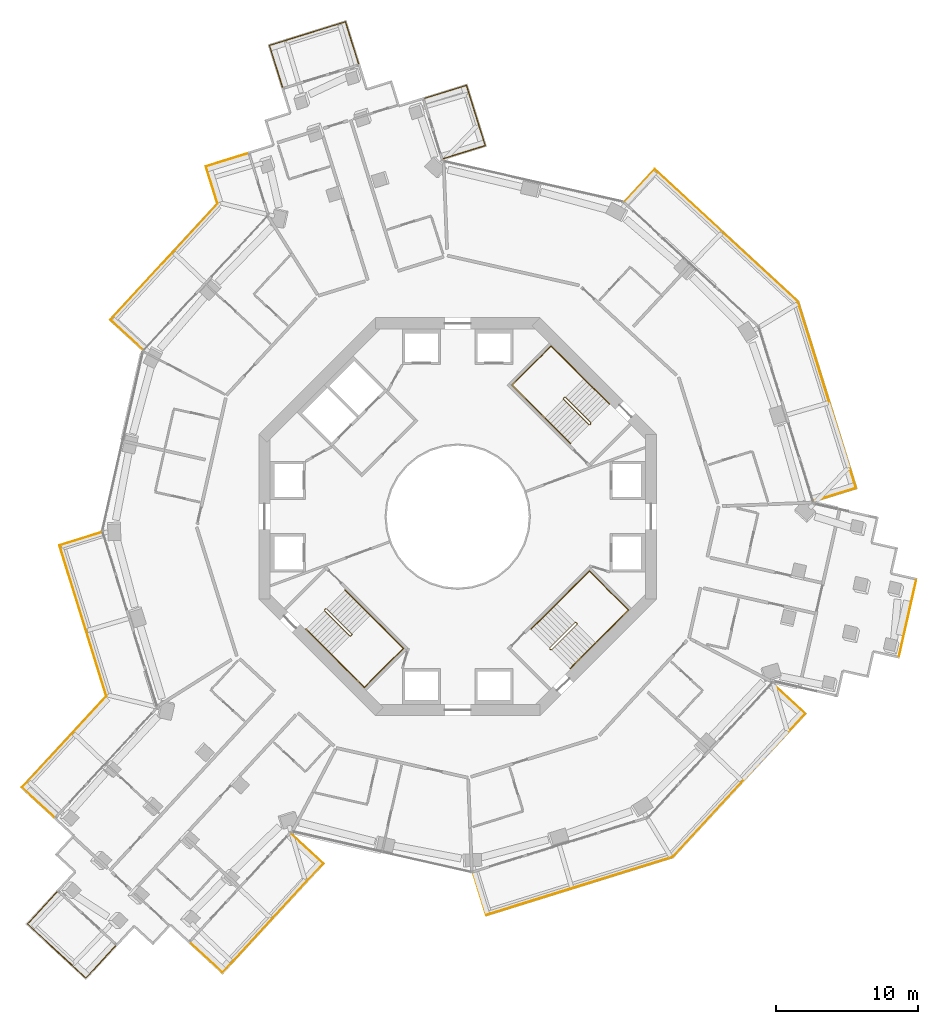
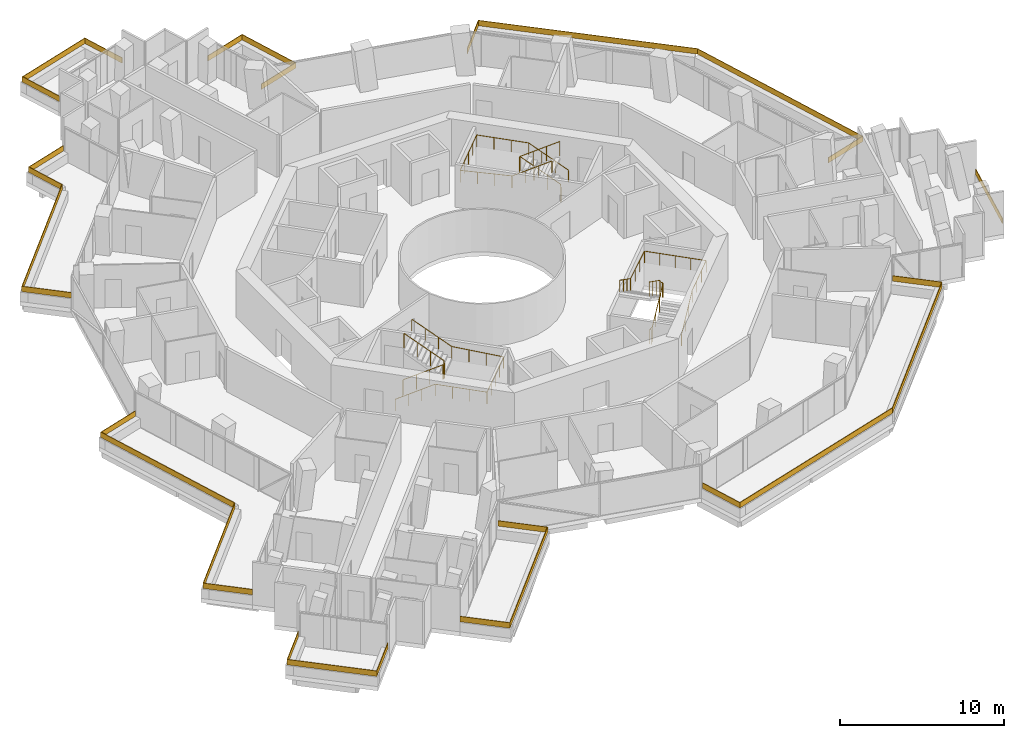
# One storey, part 25 of 25: 15 railings.
"""IFC4 building model written with IfcOpenShell, lengths in metres."""

from ifc_helpers import new_model, si_unit, direction, frame, origin, origin_2d, place, context, subcontext, project, spatial, polyline, rectangle, circle, outline, extrude, material, layer, layer_set, type_object, element, save


model = new_model("IFC4")

# Units and contexts
model_context = context("Model", 3, precision=1e-05, world=origin(), true_north=direction((0.0, 1.0)))
body_context = subcontext(model_context, "Body", "Model", "MODEL_VIEW")
ifc_project = project(units=[si_unit("LENGTHUNIT", "METRE"), si_unit("AREAUNIT", "SQUARE_METRE"), si_unit("VOLUMEUNIT", "CUBIC_METRE"), si_unit("PLANEANGLEUNIT", "RADIAN"), si_unit("MASSUNIT", "GRAM", prefix="KILO")], contexts=[model_context])

# Site, building, storey
site_placement = place(None, origin())
site = spatial("IfcSite", under=ifc_project, at=site_placement, CompositionType="ELEMENT")
building_placement = place(site_placement, origin())
building = spatial("IfcBuilding", under=site, at=building_placement, Name="Verdalira Terraces Hotel", CompositionType="ELEMENT")
storey_placement = place(building_placement, frame((0.0, 0.0, 103.5)))
storey = spatial("IfcBuildingStorey", under=building, at=storey_placement, Name="L24", CompositionType="ELEMENT", Elevation=103.5)

# Railings
ifc_material_1 = material(Name="Laminated glass", Category="glass")
ifc_layer = layer(ifc_material_1, 0.0400390625)
ifc_layer_set = layer_set([ifc_layer], Name="Balcony glass guard 400")
railing_type_1 = type_object("IfcRailingType", Name="Balcony glass guard 400", PredefinedType="GUARDRAIL", material=ifc_layer_set)
railing_1_placement = place(storey_placement, frame((0.0, 0.0, 0.699951)))
element("IfcRailing", 1, at=railing_1_placement, inside=storey, type_object=railing_type_1, Name="Balcony glass guard", PredefinedType="GUARDRAIL", context=body_context, shape_type="SweptSolid", body=[
    extrude(outline(polyline([(-7.914307, 34.799805), (-13.223145, 33.148193), (-12.308594, 30.208252), (-12.346924, 30.196289), (-13.273438, 33.174561), (-7.887939, 34.849854), (-6.961426, 31.871826), (-6.999512, 31.859863), (-7.914307, 34.799805)])), origin(), (0.0, 0.0, 1.0), 0.400146),
])
railing_2_placement = place(storey_placement, frame((0.0, 0.0, 0.699951)))
element("IfcRailing", 2, at=railing_2_placement, inside=storey, type_object=railing_type_1, Name="Balcony glass guard", PredefinedType="GUARDRAIL", context=body_context, shape_type="SweptSolid", body=[
    extrude(outline(polyline([(-17.696533, 24.635254), (-16.881592, 22.015625), (-24.413086, 13.859619), (-22.151123, 11.770752), (-22.178223, 11.741211), (-24.469727, 13.857178), (-16.926514, 22.025879), (-17.746582, 24.661621), (-14.768311, 25.588135), (-14.756348, 25.550049), (-17.696533, 24.635254)])), origin(), (0.0, 0.0, 1.0), 0.400146),
])
railing_3_placement = place(storey_placement, frame((0.0, 0.0, 0.699951)))
element("IfcRailing", 3, at=railing_3_placement, inside=storey, type_object=railing_type_1, Name="Balcony glass guard", PredefinedType="GUARDRAIL", context=body_context, shape_type="SweptSolid", body=[
    extrude(outline(polyline([(-27.999512, -2.028564), (-24.701904, -12.62915), (-30.633545, -19.052979), (-28.371338, -21.141602), (-28.398682, -21.171143), (-30.689941, -19.055176), (-24.746826, -12.619141), (-28.049561, -2.002197), (-25.071289, -1.075684), (-25.05957, -1.114014), (-27.999512, -2.028564)])), origin(), (0.0, 0.0, 1.0), 0.400146),
])
railing_4_placement = place(storey_placement, frame((0.0, 0.0, 0.699951)))
element("IfcRailing", 4, at=railing_4_placement, inside=storey, type_object=railing_type_1, Name="Balcony glass guard", PredefinedType="GUARDRAIL", context=body_context, shape_type="SweptSolid", body=[
    extrude(outline(polyline([(-30.250977, -28.661865), (-26.16626, -32.433838), (-24.077393, -30.171875), (-24.047852, -30.198975), (-26.163818, -32.490479), (-30.307373, -28.664062), (-28.191406, -26.372803), (-28.162109, -26.399902), (-30.250977, -28.661865)])), origin(), (0.0, 0.0, 1.0), 0.400146),
])
railing_5_placement = place(storey_placement, frame((0.0, 0.0, 0.699951)))
element("IfcRailing", 5, at=railing_5_placement, inside=storey, type_object=railing_type_1, Name="Balcony glass guard", PredefinedType="GUARDRAIL", context=body_context, shape_type="SweptSolid", body=[
    extrude(outline(polyline([(-16.557129, -32.05127), (-9.500488, -24.409424), (-11.762451, -22.320557), (-11.735352, -22.29126), (-9.443848, -24.407227), (-16.554932, -32.10791), (-18.846191, -29.991943), (-18.819092, -29.962402), (-16.557129, -32.05127)])), origin(), (0.0, 0.0, 1.0), 0.400146),
])
railing_6_placement = place(storey_placement, frame((0.0, 0.0, 0.699951)))
element("IfcRailing", 6, at=railing_6_placement, inside=storey, type_object=railing_type_1, Name="Balcony glass guard", PredefinedType="GUARDRAIL", context=body_context, shape_type="SweptSolid", body=[
    extrude(outline(polyline([(2.028564, -27.999512), (15.115234, -23.928467), (24.413086, -13.859619), (22.151123, -11.770752), (22.178223, -11.741211), (24.469727, -13.857178), (15.137451, -23.963379), (2.002197, -28.049561), (1.075684, -25.071289), (1.114014, -25.05957), (2.028564, -27.999512)])), origin(), (0.0, 0.0, 1.0), 0.400146),
])
railing_7_placement = place(storey_placement, frame((0.0, 0.0, 0.699951)))
element("IfcRailing", 7, at=railing_7_placement, inside=storey, type_object=railing_type_1, Name="Balcony glass guard", PredefinedType="GUARDRAIL", context=body_context, shape_type="SweptSolid", body=[
    extrude(outline(polyline([(27.999512, 2.028564), (23.928467, 15.115234), (13.859619, 24.413086), (11.770752, 22.151123), (11.741211, 22.178223), (13.857178, 24.469727), (23.963379, 15.137451), (28.049561, 2.002197), (25.071289, 1.075684), (25.05957, 1.114014), (27.999512, 2.028564)])), origin(), (0.0, 0.0, 1.0), 0.400146),
])
railing_8_placement = place(storey_placement, frame((0.0, 0.0, 0.699951)))
element("IfcRailing", 8, at=railing_8_placement, inside=storey, type_object=railing_type_1, Name="Balcony glass guard", PredefinedType="GUARDRAIL", context=body_context, shape_type="SweptSolid", body=[
    extrude(outline(polyline([(1.90625, 26.123779), (0.598633, 30.32666), (-2.341309, 29.412109), (-2.353271, 29.450195), (0.625, 30.376709), (1.956299, 26.097412), (-1.021973, 25.170898), (-1.033691, 25.208984), (1.90625, 26.123779)])), origin(), (0.0, 0.0, 1.0), 0.400146),
])
railing_9_placement = place(storey_placement, frame((31.653564, -7.14502, 0.699951), z_axis=(0.0, 0.0, 1.0), x_axis=(0.220186717, 0.975457744, 0.0)))
element("IfcRailing", 9, at=railing_9_placement, inside=storey, type_object=railing_type_1, Name="Loggia glass guard", PredefinedType="GUARDRAIL", context=body_context, shape_type="SweptSolid", body=[
    extrude(rectangle(XDim=5.5, YDim=0.040039, at=origin_2d()), origin(), (0.0, 0.0, 1.0), 0.399902),
])
ifc_material_2 = material(Name="Stainless steel", Category="steel")
railing_type_2 = type_object("IfcRailingType", Name="Stair guard 1100", PredefinedType="GUARDRAIL", material=ifc_material_2)
railing_10_placement = place(storey_placement, frame((9.369141, 6.540771, 0.0)))
element("IfcRailing", 10, at=railing_10_placement, inside=storey, type_object=railing_type_2, Name="L24 ST1 stair guard 1", PredefinedType="GUARDRAIL", context=body_context, shape_type="SweptSolid", body=[
    extrude(circle(Radius=0.023926, at=origin_2d()), frame((0.0, 0.0, 1.076172), z_axis=(-0.707106781, -0.707106781, 0.0), x_axis=(0.707106781, -0.707106781, 0.0)), (0.0, 0.0, 1.0), 0.100098),
    extrude(circle(Radius=0.023926, at=origin_2d()), frame((-0.070801, -0.070801, 1.076172), z_axis=(0.300162975, 0.599290904, 0.742127078), x_axis=(-0.894118129, 0.447831187, 0.0)), (0.0, 0.0, 1.0), 0.23584),
    extrude(circle(Radius=0.023926, at=origin_2d()), frame((0.0, 0.070557, 1.250977), z_axis=(-0.599637504, 0.599637504, 0.52997144), x_axis=(-0.707106781, -0.707106781, 0.0)), (0.0, 0.0, 1.0), 2.97168),
    extrude(circle(Radius=0.023926, at=origin_2d()), frame((-1.781982, 1.852539, 2.826172), z_axis=(-1.0, 0.0, 0.0), x_axis=(0.0, -1.0, 0.0)), (0.0, 0.0, 1.0), 0.070557),
    extrude(circle(Radius=0.023926, at=origin_2d()), frame((-1.852539, 1.852539, 2.826172), z_axis=(-0.70832698, -0.705884473, 0.0), x_axis=(0.705884473, -0.70832698, 0.0)), (0.0, 0.0, 1.0), 0.099854),
    extrude(circle(Radius=0.023926, at=origin_2d()), frame((-1.92334, 1.781982, 2.826172), z_axis=(0.0, -0.374954687, 0.92704314), x_axis=(1.0, 0.0, 0.0)), (0.0, 0.0, 1.0), 0.188721),
    extrude(circle(Radius=0.023926, at=origin_2d()), frame((-1.92334, 1.711182, 3.000977), z_axis=(0.599637504, -0.599637504, 0.52997144), x_axis=(0.707106781, 0.707106781, 0.0)), (0.0, 0.0, 1.0), 2.97168),
    extrude(circle(Radius=0.020996, at=origin_2d()), origin(), (0.0, 0.0, 1.0), 1.052002),
    extrude(circle(Radius=0.020996, at=origin_2d()), frame((-0.070801, -0.070801, 0.0)), (0.0, 0.0, 1.0), 1.052002),
    extrude(circle(Radius=0.020996, at=origin_2d()), frame((0.0, 0.070557, 0.175049)), (0.0, 0.0, 1.0), 1.052002),
    extrude(circle(Radius=0.020996, at=origin_2d()), frame((-0.593994, 0.664551, 0.699951)), (0.0, 0.0, 1.0), 1.052002),
    extrude(circle(Radius=0.020996, at=origin_2d()), frame((-1.187988, 1.258545, 1.225098)), (0.0, 0.0, 1.0), 1.052002),
    extrude(circle(Radius=0.020996, at=origin_2d()), frame((-1.781982, 1.852539, 1.75)), (0.0, 0.0, 1.0), 1.052002),
    extrude(circle(Radius=0.020996, at=origin_2d()), frame((-1.852539, 1.852539, 1.75)), (0.0, 0.0, 1.0), 1.052002),
    extrude(circle(Radius=0.020996, at=origin_2d()), frame((-1.92334, 1.781982, 1.75)), (0.0, 0.0, 1.0), 1.052002),
    extrude(circle(Radius=0.020996, at=origin_2d()), frame((-1.92334, 1.711182, 1.925049)), (0.0, 0.0, 1.0), 1.052002),
    extrude(circle(Radius=0.020996, at=origin_2d()), frame((-1.329346, 1.117188, 2.449951)), (0.0, 0.0, 1.0), 1.052002),
    extrude(circle(Radius=0.020996, at=origin_2d()), frame((-0.735352, 0.523193, 2.975098)), (0.0, 0.0, 1.0), 1.052002),
    extrude(circle(Radius=0.020996, at=origin_2d()), frame((-0.141357, -0.070801, 3.5)), (0.0, 0.0, 1.0), 1.052002),
])
railing_11_placement = place(storey_placement, frame((-9.369141, -6.540771, 0.0)))
element("IfcRailing", 11, at=railing_11_placement, inside=storey, type_object=railing_type_2, Name="L24 ST2 stair guard 1", PredefinedType="GUARDRAIL", context=body_context, shape_type="SweptSolid", body=[
    extrude(circle(Radius=0.023926, at=origin_2d()), frame((0.0, 0.0, 1.076172), z_axis=(0.707106781, 0.707106781, 0.0), x_axis=(-0.707106781, 0.707106781, 0.0)), (0.0, 0.0, 1.0), 0.100098),
    extrude(circle(Radius=0.023926, at=origin_2d()), frame((0.070801, 0.070801, 1.076172), z_axis=(-0.300162975, -0.599290904, 0.742127078), x_axis=(0.894118129, -0.447831187, 0.0)), (0.0, 0.0, 1.0), 0.23584),
    extrude(circle(Radius=0.023926, at=origin_2d()), frame((0.0, -0.070557, 1.250977), z_axis=(0.599637504, -0.599637504, 0.52997144), x_axis=(0.707106781, 0.707106781, 0.0)), (0.0, 0.0, 1.0), 2.97168),
    extrude(circle(Radius=0.023926, at=origin_2d()), frame((1.781982, -1.852539, 2.826172), z_axis=(1.0, 0.0, 0.0), x_axis=(0.0, 1.0, 0.0)), (0.0, 0.0, 1.0), 0.070557),
    extrude(circle(Radius=0.023926, at=origin_2d()), frame((1.852539, -1.852539, 2.826172), z_axis=(0.70832698, 0.705884473, 0.0), x_axis=(-0.705884473, 0.70832698, 0.0)), (0.0, 0.0, 1.0), 0.099854),
    extrude(circle(Radius=0.023926, at=origin_2d()), frame((1.92334, -1.781982, 2.826172), z_axis=(0.0, 0.374954687, 0.92704314), x_axis=(-1.0, 0.0, 0.0)), (0.0, 0.0, 1.0), 0.188721),
    extrude(circle(Radius=0.023926, at=origin_2d()), frame((1.92334, -1.711182, 3.000977), z_axis=(-0.599637504, 0.599637504, 0.52997144), x_axis=(-0.707106781, -0.707106781, 0.0)), (0.0, 0.0, 1.0), 2.97168),
    extrude(circle(Radius=0.020996, at=origin_2d()), origin(), (0.0, 0.0, 1.0), 1.052002),
    extrude(circle(Radius=0.020996, at=origin_2d()), frame((0.070801, 0.070801, 0.0)), (0.0, 0.0, 1.0), 1.052002),
    extrude(circle(Radius=0.020996, at=origin_2d()), frame((0.0, -0.070557, 0.175049)), (0.0, 0.0, 1.0), 1.052002),
    extrude(circle(Radius=0.020996, at=origin_2d()), frame((0.593994, -0.664551, 0.699951)), (0.0, 0.0, 1.0), 1.052002),
    extrude(circle(Radius=0.020996, at=origin_2d()), frame((1.187988, -1.258545, 1.225098)), (0.0, 0.0, 1.0), 1.052002),
    extrude(circle(Radius=0.020996, at=origin_2d()), frame((1.781982, -1.852539, 1.75)), (0.0, 0.0, 1.0), 1.052002),
    extrude(circle(Radius=0.020996, at=origin_2d()), frame((1.852539, -1.852539, 1.75)), (0.0, 0.0, 1.0), 1.052002),
    extrude(circle(Radius=0.020996, at=origin_2d()), frame((1.92334, -1.781982, 1.75)), (0.0, 0.0, 1.0), 1.052002),
    extrude(circle(Radius=0.020996, at=origin_2d()), frame((1.92334, -1.711182, 1.925049)), (0.0, 0.0, 1.0), 1.052002),
    extrude(circle(Radius=0.020996, at=origin_2d()), frame((1.329346, -1.117188, 2.449951)), (0.0, 0.0, 1.0), 1.052002),
    extrude(circle(Radius=0.020996, at=origin_2d()), frame((0.735352, -0.523193, 2.975098)), (0.0, 0.0, 1.0), 1.052002),
    extrude(circle(Radius=0.020996, at=origin_2d()), frame((0.141357, 0.070801, 3.5)), (0.0, 0.0, 1.0), 1.052002),
])
railing_12_placement = place(storey_placement, frame((6.540771, -9.369141, 0.0)))
element("IfcRailing", 12, at=railing_12_placement, inside=storey, type_object=railing_type_2, Name="L24 ST3 stair guard 1", PredefinedType="GUARDRAIL", context=body_context, shape_type="SweptSolid", body=[
    extrude(circle(Radius=0.023926, at=origin_2d()), frame((0.0, 0.0, 1.076172), z_axis=(-0.707106781, 0.707106781, 0.0), x_axis=(-0.707106781, -0.707106781, 0.0)), (0.0, 0.0, 1.0), 0.100098),
    extrude(circle(Radius=0.023926, at=origin_2d()), frame((-0.070801, 0.070801, 1.076172), z_axis=(0.599290904, -0.300162975, 0.742127078), x_axis=(0.447831187, 0.894118129, 0.0)), (0.0, 0.0, 1.0), 0.23584),
    extrude(circle(Radius=0.023926, at=origin_2d()), frame((0.070557, 0.0, 1.250977), z_axis=(0.599637504, 0.599637504, 0.52997144), x_axis=(-0.707106781, 0.707106781, 0.0)), (0.0, 0.0, 1.0), 2.97168),
    extrude(circle(Radius=0.023926, at=origin_2d()), frame((1.852539, 1.781982, 2.826172), z_axis=(0.0, 1.0, 0.0), x_axis=(-1.0, 0.0, 0.0)), (0.0, 0.0, 1.0), 0.070557),
    extrude(circle(Radius=0.023926, at=origin_2d()), frame((1.852539, 1.852539, 2.826172), z_axis=(-0.705884473, 0.70832698, 0.0), x_axis=(-0.70832698, -0.705884473, 0.0)), (0.0, 0.0, 1.0), 0.099854),
    extrude(circle(Radius=0.023926, at=origin_2d()), frame((1.781982, 1.92334, 2.826172), z_axis=(-0.374954687, 0.0, 0.92704314), x_axis=(0.0, -1.0, 0.0)), (0.0, 0.0, 1.0), 0.188721),
    extrude(circle(Radius=0.023926, at=origin_2d()), frame((1.711182, 1.92334, 3.000977), z_axis=(-0.599637504, -0.599637504, 0.52997144), x_axis=(0.707106781, -0.707106781, 0.0)), (0.0, 0.0, 1.0), 2.97168),
    extrude(circle(Radius=0.020996, at=origin_2d()), origin(), (0.0, 0.0, 1.0), 1.052002),
    extrude(circle(Radius=0.020996, at=origin_2d()), frame((-0.070801, 0.070801, 0.0)), (0.0, 0.0, 1.0), 1.052002),
    extrude(circle(Radius=0.020996, at=origin_2d()), frame((0.070557, 0.0, 0.175049)), (0.0, 0.0, 1.0), 1.052002),
    extrude(circle(Radius=0.020996, at=origin_2d()), frame((0.664551, 0.593994, 0.699951)), (0.0, 0.0, 1.0), 1.052002),
    extrude(circle(Radius=0.020996, at=origin_2d()), frame((1.258545, 1.187988, 1.225098)), (0.0, 0.0, 1.0), 1.052002),
    extrude(circle(Radius=0.020996, at=origin_2d()), frame((1.852539, 1.781982, 1.75)), (0.0, 0.0, 1.0), 1.052002),
    extrude(circle(Radius=0.020996, at=origin_2d()), frame((1.852539, 1.852539, 1.75)), (0.0, 0.0, 1.0), 1.052002),
    extrude(circle(Radius=0.020996, at=origin_2d()), frame((1.781982, 1.92334, 1.75)), (0.0, 0.0, 1.0), 1.052002),
    extrude(circle(Radius=0.020996, at=origin_2d()), frame((1.711182, 1.92334, 1.925049)), (0.0, 0.0, 1.0), 1.052002),
    extrude(circle(Radius=0.020996, at=origin_2d()), frame((1.117188, 1.329346, 2.449951)), (0.0, 0.0, 1.0), 1.052002),
    extrude(circle(Radius=0.020996, at=origin_2d()), frame((0.523193, 0.735352, 2.975098)), (0.0, 0.0, 1.0), 1.052002),
    extrude(circle(Radius=0.020996, at=origin_2d()), frame((-0.070801, 0.141357, 3.5)), (0.0, 0.0, 1.0), 1.052002),
])
ifc_material_3 = material(Name="Stainless steel", Category="steel")
railing_type_3 = type_object("IfcRailingType", Name="Stair handrail 900", PredefinedType="HANDRAIL", material=ifc_material_3)
railing_13_placement = place(storey_placement, frame((10.677246, 7.919678, 0.175049)))
element("IfcRailing", 13, at=railing_13_placement, inside=storey, type_object=railing_type_3, Name="L24 ST1 stair handrail 1", PredefinedType="HANDRAIL", context=body_context, shape_type="SweptSolid", body=[
    extrude(circle(Radius=0.023926, at=origin_2d()), frame((0.0, 0.0, 0.875977), z_axis=(-0.599614426, 0.599614426, 0.530023659), x_axis=(-0.707106781, -0.707106781, 0.0)), (0.0, 0.0, 1.0), 2.971436),
    extrude(circle(Radius=0.023926, at=origin_2d()), frame((-1.781738, 1.781738, 2.450684), z_axis=(-0.707106781, 0.707106781, 0.0), x_axis=(-0.707106781, -0.707106781, 0.0)), (0.0, 0.0, 1.0), 3.280029),
    extrude(circle(Radius=0.023926, at=origin_2d()), frame((-4.101074, 4.101074, 2.450684), z_axis=(-0.707138081, -0.70707548, 0.0), x_axis=(0.70707548, -0.707138081, 0.0)), (0.0, 0.0, 1.0), 3.899902),
    extrude(circle(Radius=0.023926, at=origin_2d()), frame((-6.858887, 1.343506, 2.450684), z_axis=(0.706101958, -0.706101958, 0.053292116), x_axis=(0.707106781, 0.707106781, 0.0)), (0.0, 0.0, 1.0), 3.284668),
    extrude(circle(Radius=0.023926, at=origin_2d()), frame((-4.539551, -0.97583, 2.625977), z_axis=(0.599637504, -0.599637504, 0.52997144), x_axis=(0.707106781, 0.707106781, 0.0)), (0.0, 0.0, 1.0), 2.97168),
    extrude(circle(Radius=0.020996, at=origin_2d()), origin(), (0.0, 0.0, 1.0), 0.851807),
    extrude(circle(Radius=0.020996, at=origin_2d()), frame((-0.593994, 0.593994, 0.524902)), (0.0, 0.0, 1.0), 0.851807),
    extrude(circle(Radius=0.020996, at=origin_2d()), frame((-1.187744, 1.187744, 1.050049)), (0.0, 0.0, 1.0), 0.851807),
    extrude(circle(Radius=0.020996, at=origin_2d()), frame((-1.781738, 1.781738, 1.574951)), (0.0, 0.0, 1.0), 0.851807),
    extrude(circle(Radius=0.020996, at=origin_2d()), frame((-2.554932, 2.554932, 1.574951)), (0.0, 0.0, 1.0), 0.851807),
    extrude(circle(Radius=0.020996, at=origin_2d()), frame((-3.327881, 3.327881, 1.574951)), (0.0, 0.0, 1.0), 0.851807),
    extrude(circle(Radius=0.020996, at=origin_2d()), frame((-4.101074, 4.101074, 1.574951)), (0.0, 0.0, 1.0), 0.851807),
    extrude(circle(Radius=0.020996, at=origin_2d()), frame((-4.790527, 3.411621, 1.574951)), (0.0, 0.0, 1.0), 0.851807),
    extrude(circle(Radius=0.020996, at=origin_2d()), frame((-5.47998, 2.722168, 1.574951)), (0.0, 0.0, 1.0), 0.851807),
    extrude(circle(Radius=0.020996, at=origin_2d()), frame((-6.169434, 2.032959, 1.574951)), (0.0, 0.0, 1.0), 0.851807),
    extrude(circle(Radius=0.020996, at=origin_2d()), frame((-6.858887, 1.343506, 1.574951)), (0.0, 0.0, 1.0), 0.851807),
    extrude(circle(Radius=0.020996, at=origin_2d()), frame((-6.085693, 0.570312, 1.633301)), (0.0, 0.0, 1.0), 0.851807),
    extrude(circle(Radius=0.020996, at=origin_2d()), frame((-5.312744, -0.202637, 1.69165)), (0.0, 0.0, 1.0), 0.851807),
    extrude(circle(Radius=0.020996, at=origin_2d()), frame((-4.539551, -0.97583, 1.75)), (0.0, 0.0, 1.0), 0.851807),
    extrude(circle(Radius=0.020996, at=origin_2d()), frame((-3.945557, -1.569824, 2.274902)), (0.0, 0.0, 1.0), 0.851807),
    extrude(circle(Radius=0.020996, at=origin_2d()), frame((-3.351562, -2.163818, 2.800049)), (0.0, 0.0, 1.0), 0.851807),
    extrude(circle(Radius=0.020996, at=origin_2d()), frame((-2.757568, -2.757812, 3.324951)), (0.0, 0.0, 1.0), 0.851807),
])
railing_14_placement = place(storey_placement, frame((-10.677246, -7.919678, 0.175049)))
element("IfcRailing", 14, at=railing_14_placement, inside=storey, type_object=railing_type_3, Name="L24 ST2 stair handrail 1", PredefinedType="HANDRAIL", context=body_context, shape_type="SweptSolid", body=[
    extrude(circle(Radius=0.023926, at=origin_2d()), frame((0.0, 0.0, 0.875977), z_axis=(0.599614426, -0.599614426, 0.530023659), x_axis=(0.707106781, 0.707106781, 0.0)), (0.0, 0.0, 1.0), 2.971436),
    extrude(circle(Radius=0.023926, at=origin_2d()), frame((1.781738, -1.781738, 2.450684), z_axis=(0.707106781, -0.707106781, 0.0), x_axis=(0.707106781, 0.707106781, 0.0)), (0.0, 0.0, 1.0), 3.280029),
    extrude(circle(Radius=0.023926, at=origin_2d()), frame((4.101074, -4.101074, 2.450684), z_axis=(0.707138081, 0.70707548, 0.0), x_axis=(-0.70707548, 0.707138081, 0.0)), (0.0, 0.0, 1.0), 3.899902),
    extrude(circle(Radius=0.023926, at=origin_2d()), frame((6.858887, -1.343506, 2.450684), z_axis=(-0.706101958, 0.706101958, 0.053292116), x_axis=(-0.707106781, -0.707106781, 0.0)), (0.0, 0.0, 1.0), 3.284668),
    extrude(circle(Radius=0.023926, at=origin_2d()), frame((4.539551, 0.97583, 2.625977), z_axis=(-0.599637504, 0.599637504, 0.52997144), x_axis=(-0.707106781, -0.707106781, 0.0)), (0.0, 0.0, 1.0), 2.97168),
    extrude(circle(Radius=0.020996, at=origin_2d()), origin(), (0.0, 0.0, 1.0), 0.851807),
    extrude(circle(Radius=0.020996, at=origin_2d()), frame((0.593994, -0.593994, 0.524902)), (0.0, 0.0, 1.0), 0.851807),
    extrude(circle(Radius=0.020996, at=origin_2d()), frame((1.187744, -1.187744, 1.050049)), (0.0, 0.0, 1.0), 0.851807),
    extrude(circle(Radius=0.020996, at=origin_2d()), frame((1.781738, -1.781738, 1.574951)), (0.0, 0.0, 1.0), 0.851807),
    extrude(circle(Radius=0.020996, at=origin_2d()), frame((2.554932, -2.554932, 1.574951)), (0.0, 0.0, 1.0), 0.851807),
    extrude(circle(Radius=0.020996, at=origin_2d()), frame((3.327881, -3.327881, 1.574951)), (0.0, 0.0, 1.0), 0.851807),
    extrude(circle(Radius=0.020996, at=origin_2d()), frame((4.101074, -4.101074, 1.574951)), (0.0, 0.0, 1.0), 0.851807),
    extrude(circle(Radius=0.020996, at=origin_2d()), frame((4.790527, -3.411621, 1.574951)), (0.0, 0.0, 1.0), 0.851807),
    extrude(circle(Radius=0.020996, at=origin_2d()), frame((5.47998, -2.722168, 1.574951)), (0.0, 0.0, 1.0), 0.851807),
    extrude(circle(Radius=0.020996, at=origin_2d()), frame((6.169434, -2.032959, 1.574951)), (0.0, 0.0, 1.0), 0.851807),
    extrude(circle(Radius=0.020996, at=origin_2d()), frame((6.858887, -1.343506, 1.574951)), (0.0, 0.0, 1.0), 0.851807),
    extrude(circle(Radius=0.020996, at=origin_2d()), frame((6.085693, -0.570312, 1.633301)), (0.0, 0.0, 1.0), 0.851807),
    extrude(circle(Radius=0.020996, at=origin_2d()), frame((5.312744, 0.202637, 1.69165)), (0.0, 0.0, 1.0), 0.851807),
    extrude(circle(Radius=0.020996, at=origin_2d()), frame((4.539551, 0.97583, 1.75)), (0.0, 0.0, 1.0), 0.851807),
    extrude(circle(Radius=0.020996, at=origin_2d()), frame((3.945557, 1.569824, 2.274902)), (0.0, 0.0, 1.0), 0.851807),
    extrude(circle(Radius=0.020996, at=origin_2d()), frame((3.351562, 2.163818, 2.800049)), (0.0, 0.0, 1.0), 0.851807),
    extrude(circle(Radius=0.020996, at=origin_2d()), frame((2.757568, 2.757812, 3.324951)), (0.0, 0.0, 1.0), 0.851807),
])
railing_15_placement = place(storey_placement, frame((7.919678, -10.677246, 0.175049)))
element("IfcRailing", 15, at=railing_15_placement, inside=storey, type_object=railing_type_3, Name="L24 ST3 stair handrail 1", PredefinedType="HANDRAIL", context=body_context, shape_type="SweptSolid", body=[
    extrude(circle(Radius=0.023926, at=origin_2d()), frame((0.0, 0.0, 0.875977), z_axis=(0.599614426, 0.599614426, 0.530023659), x_axis=(-0.707106781, 0.707106781, 0.0)), (0.0, 0.0, 1.0), 2.971436),
    extrude(circle(Radius=0.023926, at=origin_2d()), frame((1.781738, 1.781738, 2.450684), z_axis=(0.707106781, 0.707106781, 0.0), x_axis=(-0.707106781, 0.707106781, 0.0)), (0.0, 0.0, 1.0), 3.280029),
    extrude(circle(Radius=0.023926, at=origin_2d()), frame((4.101074, 4.101074, 2.450684), z_axis=(-0.70707548, 0.707138081, 0.0), x_axis=(-0.707138081, -0.70707548, 0.0)), (0.0, 0.0, 1.0), 3.899902),
    extrude(circle(Radius=0.023926, at=origin_2d()), frame((1.343506, 6.858887, 2.450684), z_axis=(-0.706101958, -0.706101958, 0.053292116), x_axis=(0.707106781, -0.707106781, 0.0)), (0.0, 0.0, 1.0), 3.284668),
    extrude(circle(Radius=0.023926, at=origin_2d()), frame((-0.97583, 4.539551, 2.625977), z_axis=(-0.599637504, -0.599637504, 0.52997144), x_axis=(0.707106781, -0.707106781, 0.0)), (0.0, 0.0, 1.0), 2.97168),
    extrude(circle(Radius=0.020996, at=origin_2d()), origin(), (0.0, 0.0, 1.0), 0.851807),
    extrude(circle(Radius=0.020996, at=origin_2d()), frame((0.593994, 0.593994, 0.524902)), (0.0, 0.0, 1.0), 0.851807),
    extrude(circle(Radius=0.020996, at=origin_2d()), frame((1.187744, 1.187744, 1.050049)), (0.0, 0.0, 1.0), 0.851807),
    extrude(circle(Radius=0.020996, at=origin_2d()), frame((1.781738, 1.781738, 1.574951)), (0.0, 0.0, 1.0), 0.851807),
    extrude(circle(Radius=0.020996, at=origin_2d()), frame((2.554932, 2.554932, 1.574951)), (0.0, 0.0, 1.0), 0.851807),
    extrude(circle(Radius=0.020996, at=origin_2d()), frame((3.327881, 3.327881, 1.574951)), (0.0, 0.0, 1.0), 0.851807),
    extrude(circle(Radius=0.020996, at=origin_2d()), frame((4.101074, 4.101074, 1.574951)), (0.0, 0.0, 1.0), 0.851807),
    extrude(circle(Radius=0.020996, at=origin_2d()), frame((3.411621, 4.790527, 1.574951)), (0.0, 0.0, 1.0), 0.851807),
    extrude(circle(Radius=0.020996, at=origin_2d()), frame((2.722168, 5.47998, 1.574951)), (0.0, 0.0, 1.0), 0.851807),
    extrude(circle(Radius=0.020996, at=origin_2d()), frame((2.032959, 6.169434, 1.574951)), (0.0, 0.0, 1.0), 0.851807),
    extrude(circle(Radius=0.020996, at=origin_2d()), frame((1.343506, 6.858887, 1.574951)), (0.0, 0.0, 1.0), 0.851807),
    extrude(circle(Radius=0.020996, at=origin_2d()), frame((0.570312, 6.085693, 1.633301)), (0.0, 0.0, 1.0), 0.851807),
    extrude(circle(Radius=0.020996, at=origin_2d()), frame((-0.202637, 5.312744, 1.69165)), (0.0, 0.0, 1.0), 0.851807),
    extrude(circle(Radius=0.020996, at=origin_2d()), frame((-0.97583, 4.539551, 1.75)), (0.0, 0.0, 1.0), 0.851807),
    extrude(circle(Radius=0.020996, at=origin_2d()), frame((-1.569824, 3.945557, 2.274902)), (0.0, 0.0, 1.0), 0.851807),
    extrude(circle(Radius=0.020996, at=origin_2d()), frame((-2.163818, 3.351562, 2.800049)), (0.0, 0.0, 1.0), 0.851807),
    extrude(circle(Radius=0.020996, at=origin_2d()), frame((-2.757812, 2.757568, 3.324951)), (0.0, 0.0, 1.0), 0.851807),
])

save(model, "model.ifc")
